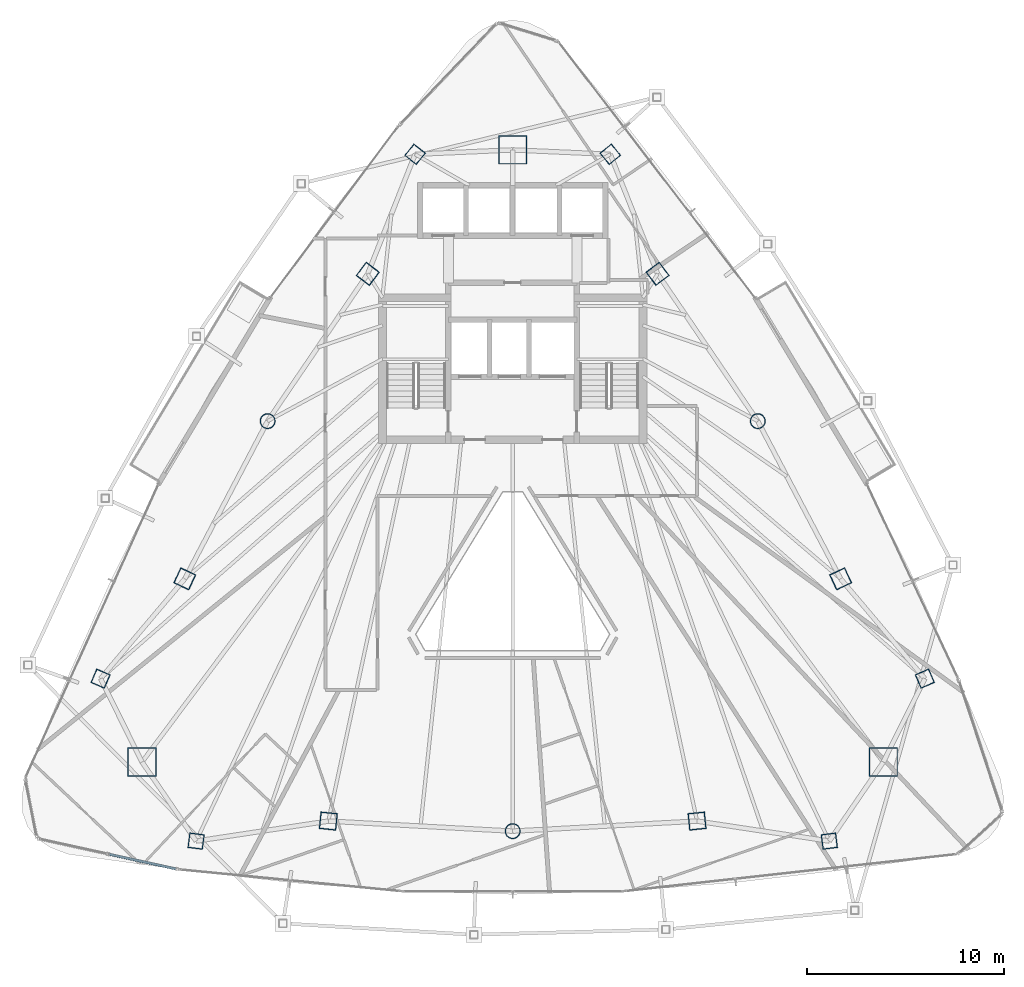
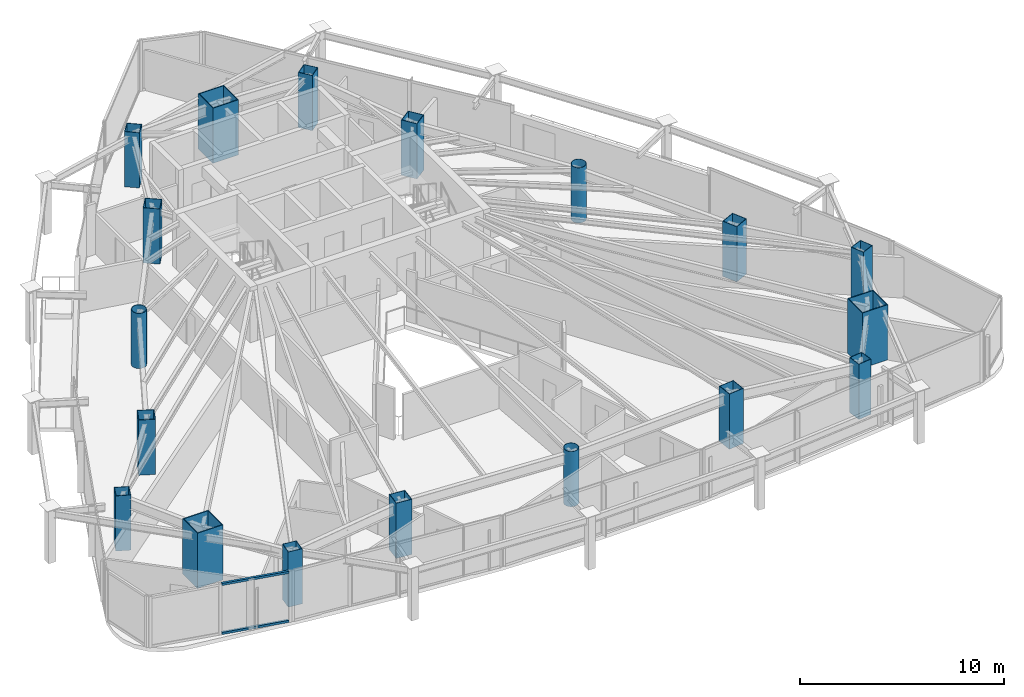
# One storey, part 1 of 29: 18 columns, 2 members, 1 element without a shape of its own.
"""IFC4 building model written with IfcOpenShell, lengths in metres."""

from ifc_helpers import new_model, si_unit, direction, frame, origin, origin_2d, place, context, subcontext, project, spatial, hollow_rectangle, hollow_circle, extrude, material, layer, layer_set, material_profile, profile_set, type_object, element, aggregate, save


model = new_model("IFC4")

# Units and contexts
model_context = context("Model", 3, precision=1e-05, world=origin(), true_north=direction((0.0, 1.0)))
body_context = subcontext(model_context, "Body", "Model", "MODEL_VIEW")
ifc_project = project(units=[si_unit("LENGTHUNIT", "METRE"), si_unit("AREAUNIT", "SQUARE_METRE"), si_unit("VOLUMEUNIT", "CUBIC_METRE"), si_unit("PLANEANGLEUNIT", "RADIAN"), si_unit("MASSUNIT", "GRAM", prefix="KILO")], contexts=[model_context])

# Site, building, storey
site_placement = place(None, origin())
site = spatial("IfcSite", under=ifc_project, at=site_placement, CompositionType="ELEMENT")
building_placement = place(site_placement, origin())
building = spatial("IfcBuilding", under=site, at=building_placement, Name="Orvanel Arch Residences", CompositionType="ELEMENT")
storey_placement = place(building_placement, frame((0.0, 0.0, 167.14990234375)))
storey = spatial("IfcBuildingStorey", under=building, at=storey_placement, Name="L47", CompositionType="ELEMENT", Elevation=167.14990234375)

# Columns
ifc_material_1 = material(Name="Structural steel AS/NZS 1163 C450L0 (Grade 450)", Category="steel")
ifc_material_profile_1 = material_profile(ifc_material_1, hollow_circle(Radius=0.381103515625, WallThickness=0.02197265625, at=origin_2d()), Name="CHS762x22")
ifc_profile_set_1 = profile_set([ifc_material_profile_1], Name="Structural steel AS/NZS 1163 C450L0 (Grade 450)")
column_type_1 = type_object("IfcColumnType", Name="CC-762", PredefinedType="COLUMN", material=ifc_profile_set_1)
for number, where, z_axis, x_axis, name in (
    (1, (20.569091796875, 27.64111328125, 0.0), (0.0, 0.0, 1.0), (1.0, 0.0, 0.0), "L47 High-Rise Tube Column 02"),
    (2, (33.0, 6.843994140625, 0.0), (0.0, 0.0, 1.0), (1.0, 0.0, 0.0), "L47 High-Rise Tube Column 05"),
    (3, (45.430908203125, 27.64111328125, 0.0), (0.0, 0.0, 1.0), (1.0, 0.0, 0.0), "L47 High-Rise Tube Column 08"),
):
    element("IfcColumn", number, at=place(storey_placement, frame(where, z_axis=z_axis, x_axis=x_axis)), inside=storey, type_object=column_type_1, Name=name, PredefinedType="COLUMN", context=body_context, shape_type="SweptSolid", body=[
        extrude(hollow_circle(Radius=0.381103515625, WallThickness=0.02197265625, at=origin_2d()), origin(), (0.0, 0.0, 1.0), 3.300048828125),
    ])
ifc_material_2 = material(Name="Structural steel AS/NZS 3678 Grade 450", Category="steel")
ifc_material_profile_2 = material_profile(ifc_material_2, hollow_rectangle(XDim=1.449951171875, YDim=1.449951171875, WallThickness=0.044921875, at=origin_2d()), Name="BOX1450x1450x45")
ifc_profile_set_2 = profile_set([ifc_material_profile_2], Name="Structural steel AS/NZS 3678 Grade 450")
column_type_2 = type_object("IfcColumnType", Name="MC-1450", PredefinedType="COLUMN", material=ifc_profile_set_2)
for number, where, z_axis, x_axis, name in (
    (4, (33.0, 41.39794921875, 0.0), (0.0, 0.0, 1.0), (1.0, 0.0, 0.0), "L47 Corner Mega-Column 1"),
    (5, (14.198974609375, 10.35107421875, 0.0), (0.0, 0.0, 1.0), (1.0, 0.0, 0.0), "L47 Corner Mega-Column 2"),
    (6, (51.801025390625, 10.35107421875, 0.0), (0.0, 0.0, 1.0), (1.0, 0.0, 0.0), "L47 Corner Mega-Column 3"),
):
    element("IfcColumn", number, at=place(storey_placement, frame(where, z_axis=z_axis, x_axis=x_axis)), inside=storey, type_object=column_type_2, Name=name, PredefinedType="COLUMN", context=body_context, shape_type="SweptSolid", body=[
        extrude(hollow_rectangle(XDim=1.449951171875, YDim=1.449951171875, WallThickness=0.044921875, at=origin_2d()), origin(), (0.0, 0.0, 1.0), 3.300048828125),
    ])
ifc_material_3 = material(Name="Structural steel AS/NZS 3678 Grade 350", Category="steel")
ifc_material_profile_3 = material_profile(ifc_material_3, hollow_rectangle(XDim=0.75, YDim=0.75, WallThickness=0.02490234375, at=origin_2d()), Name="BOX750x750x25")
ifc_profile_set_3 = profile_set([ifc_material_profile_3], Name="Structural steel AS/NZS 3678 Grade 350")
column_type_3 = type_object("IfcColumnType", Name="TC-750", PredefinedType="COLUMN", material=ifc_profile_set_3)
for number, where, z_axis, x_axis, name in (
    (7, (28.050048828125, 41.177978515625, 0.0), (0.0, 0.0, 1.0), (0.623879596709, 0.781520472419, 0.0), "L47 Mid-Rise Buttress Tube Column 01"),
    (8, (12.094970703125, 14.580078125, 0.0), (0.0, 0.0, 1.0), (0.397147890635, 0.917754625684, 0.0), "L47 Mid-Rise Buttress Tube Column 02"),
    (9, (16.94091796875, 6.339111328125, 0.0), (0.0, 0.0, 1.0), (-0.99189444259, 0.127064608601, 0.0), "L47 Mid-Rise Buttress Tube Column 03"),
    (10, (49.05908203125, 6.339111328125, 0.0), (0.0, 0.0, 1.0), (0.99189444259, 0.127064608601, 0.0), "L47 Mid-Rise Buttress Tube Column 04"),
    (11, (53.905029296875, 14.580078125, 0.0), (0.0, 0.0, 1.0), (-0.397147890635, 0.917754625684, 0.0), "L47 Mid-Rise Buttress Tube Column 05"),
    (12, (37.949951171875, 41.177978515625, 0.0), (0.0, 0.0, 1.0), (-0.623879596709, 0.781520472419, 0.0), "L47 Mid-Rise Buttress Tube Column 06"),
):
    element("IfcColumn", number, at=place(storey_placement, frame(where, z_axis=z_axis, x_axis=x_axis)), inside=storey, type_object=column_type_3, Name=name, PredefinedType="COLUMN", context=body_context, shape_type="SweptSolid", body=[
        extrude(hollow_rectangle(XDim=0.75, YDim=0.75, WallThickness=0.02490234375, at=origin_2d()), origin(), (0.0, 0.0, 1.0), 3.300048828125),
    ])
ifc_material_profile_4 = material_profile(ifc_material_3, hollow_rectangle(XDim=0.85009765625, YDim=0.85009765625, WallThickness=0.028076171875, at=origin_2d()), Name="BOX850x850x28")
ifc_profile_set_4 = profile_set([ifc_material_profile_4], Name="Structural steel AS/NZS 3678 Grade 350")
column_type_4 = type_object("IfcColumnType", Name="TC-850", PredefinedType="COLUMN", material=ifc_profile_set_4)
for number, where, z_axis, x_axis, name in (
    (13, (25.64794921875, 35.113037109375, 0.0), (0.0, 0.0, 1.0), (0.600420225326, 0.799684658487, 0.0), "L47 High-Rise Tube Column 01"),
    (14, (16.366943359375, 19.64208984375, 0.0), (0.0, 0.0, 1.0), (0.422618261741, 0.906307787037, 0.0), "L47 High-Rise Tube Column 03"),
    (15, (23.64892578125, 7.35498046875, 0.0), (0.0, 0.0, 1.0), (-0.994880708829, 0.101056297183, 0.0), "L47 High-Rise Tube Column 04"),
    (16, (42.35107421875, 7.35498046875, 0.0), (0.0, 0.0, 1.0), (0.994880708829, 0.101056297183, 0.0), "L47 High-Rise Tube Column 06"),
    (17, (49.633056640625, 19.64208984375, 0.0), (0.0, 0.0, 1.0), (-0.422618261741, 0.906307787037, 0.0), "L47 High-Rise Tube Column 07"),
    (18, (40.35205078125, 35.113037109375, 0.0), (0.0, 0.0, 1.0), (-0.600420225326, 0.799684658487, 0.0), "L47 High-Rise Tube Column 09"),
):
    element("IfcColumn", number, at=place(storey_placement, frame(where, z_axis=z_axis, x_axis=x_axis)), inside=storey, type_object=column_type_4, Name=name, PredefinedType="COLUMN", context=body_context, shape_type="SweptSolid", body=[
        extrude(hollow_rectangle(XDim=0.85009765625, YDim=0.85009765625, WallThickness=0.028076171875, at=origin_2d()), origin(), (0.0, 0.0, 1.0), 3.300048828125),
    ])

# Curtain wall, members
ifc_material_4 = material(Name="Bronze-anodised aluminium AA6063-T6", Category="aluminium")
ifc_layer = layer(ifc_material_4, 0.18994140625)
ifc_layer_set = layer_set([ifc_layer], Name="Bronze-anodised aluminium AA6063-T6")
curtain_wall_type = type_object("IfcCurtainWallType", Name="CW5-CRN-SYS", PredefinedType="NOTDEFINED", material=ifc_layer_set)
curtain_wall_placement = place(storey_placement, origin())
curtain_wall = element("IfcCurtainWall", 19, at=curtain_wall_placement, inside=storey, type_object=curtain_wall_type, Name="L47 CW5-CRN-SYS Unitised Curtain Wall", PredefinedType="NOTDEFINED")
ifc_material_profile_5 = material_profile(ifc_material_4, hollow_rectangle(XDim=0.1298828125, YDim=0.1298828125, WallThickness=0.00439453125, at=origin_2d()), Name="ALU130x130x4.5")
ifc_profile_set_5 = profile_set([ifc_material_profile_5], Name="Bronze-anodised aluminium AA6063-T6")
member_type = type_object("IfcMemberType", Name="TRN-130x130", PredefinedType="USERDEFINED", material=ifc_profile_set_5)
member_1_placement = place(storey_placement, frame((12.545166015625, 5.67041015625, 0.065185546875), z_axis=(0.976757375333, -0.21434791749, 0.0), x_axis=(0.21434791749, 0.976757375333, 0.0)))
member_1 = element("IfcMember", 20, at=member_1_placement, type_object=member_type, Name="CW-S5 transom 2.1", ObjectType="TRANSOM", PredefinedType="USERDEFINED", context=body_context, shape_type="SweptSolid", body=[
    extrude(hollow_rectangle(XDim=0.1298828125, YDim=0.1298828125, WallThickness=0.00439453125, at=origin_2d()), origin(), (0.0, 0.0, 1.0), 3.4443359375),
])
member_2_placement = place(storey_placement, frame((12.545166015625, 5.67041015625, 2.9951171875), z_axis=(0.976757375333, -0.21434791749, 0.0), x_axis=(0.21434791749, 0.976757375333, 0.0)))
member_2 = element("IfcMember", 21, at=member_2_placement, type_object=member_type, Name="CW-S5 transom 2.2", ObjectType="TRANSOM", PredefinedType="USERDEFINED", context=body_context, shape_type="SweptSolid", body=[
    extrude(hollow_rectangle(XDim=0.1298828125, YDim=0.1298828125, WallThickness=0.00439453125, at=origin_2d()), origin(), (0.0, 0.0, 1.0), 3.4443359375),
])
aggregate(curtain_wall, [member_1, member_2])

save(model, "model.ifc")
